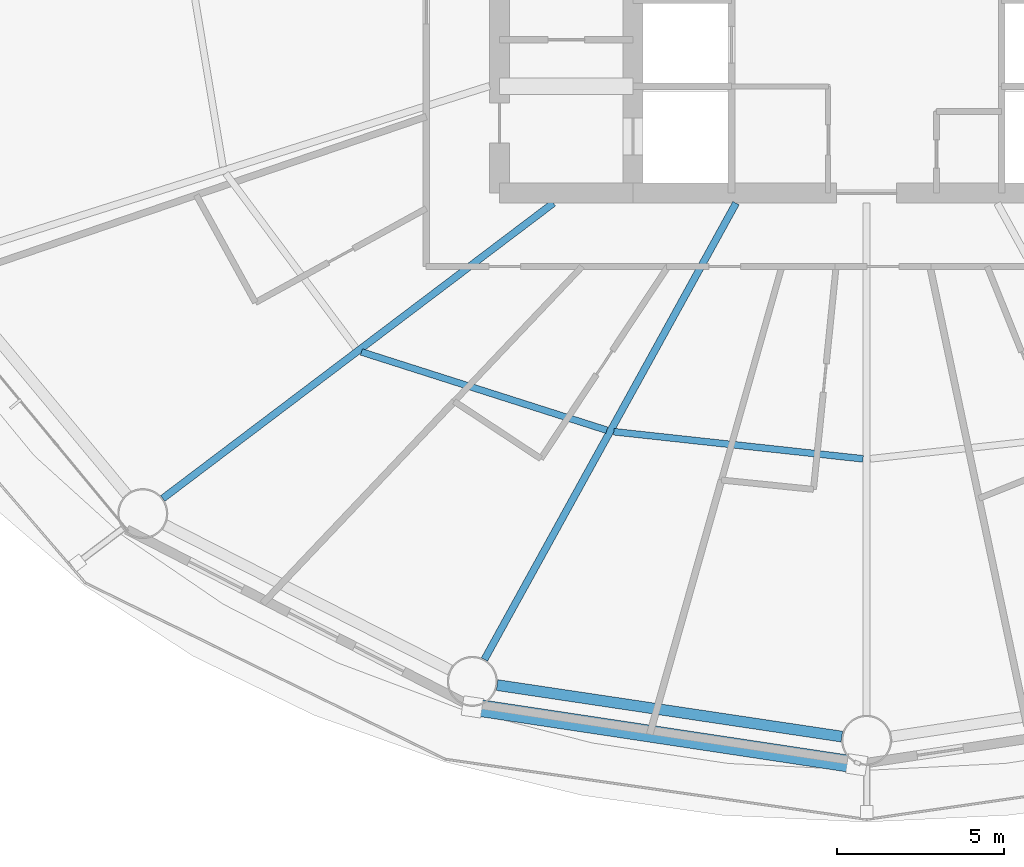
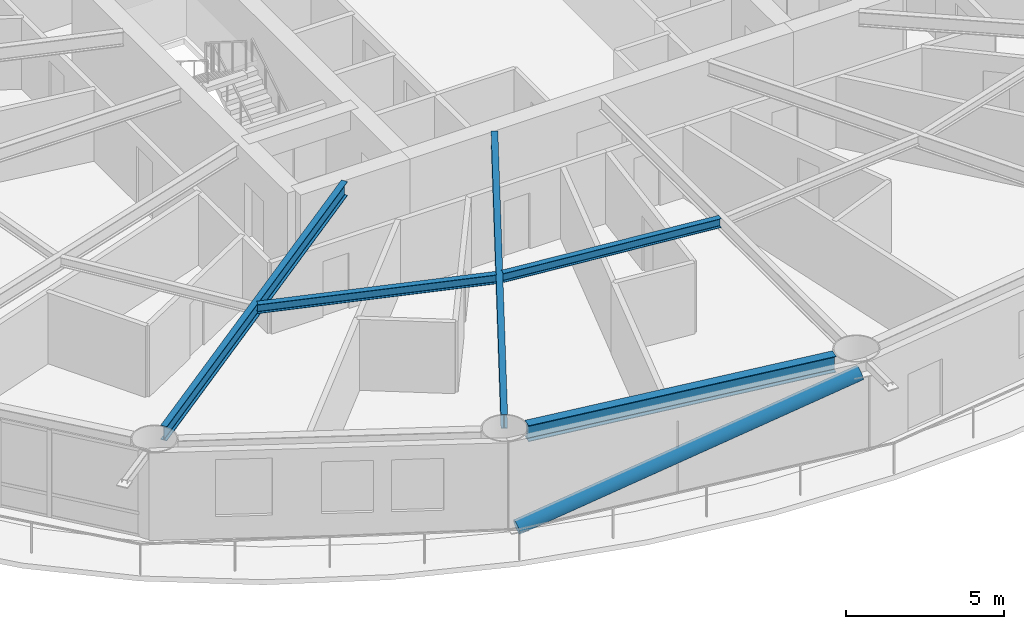
# One storey, part 3 of 28: 5 beams, 1 member.
"""IFC4 building model written with IfcOpenShell, lengths in metres."""

from ifc_helpers import new_model, si_unit, direction, frame, origin, origin_2d, place, context, subcontext, project, spatial, hollow_circle, i_section, extrude, material, material_profile, profile_set, type_object, element, save


model = new_model("IFC4")

# Units and contexts
model_context = context("Model", 3, precision=1e-05, world=origin(), true_north=direction((0.0, 1.0)))
body_context = subcontext(model_context, "Body", "Model", "MODEL_VIEW")
ifc_project = project(units=[si_unit("LENGTHUNIT", "METRE"), si_unit("AREAUNIT", "SQUARE_METRE"), si_unit("VOLUMEUNIT", "CUBIC_METRE"), si_unit("PLANEANGLEUNIT", "RADIAN"), si_unit("MASSUNIT", "GRAM", prefix="KILO")], contexts=[model_context])

# Site, building, storey
site_placement = place(None, origin())
site = spatial("IfcSite", under=ifc_project, at=site_placement, CompositionType="ELEMENT")
building_placement = place(site_placement, origin())
building = spatial("IfcBuilding", under=site, at=building_placement, Name="Sarneth Arch Tower", CompositionType="ELEMENT")
storey_placement = place(building_placement, frame((0.0, 0.0, 31.800048828125)))
storey = spatial("IfcBuildingStorey", under=building, at=storey_placement, Name="L06", CompositionType="ELEMENT", Elevation=31.800048828125)

# Beams
ifc_material_1 = material(Name="Steel S355", Category="steel")
ifc_material_profile_1 = material_profile(ifc_material_1, i_section(OverallWidth=0.202880859375, OverallDepth=0.346923828125, WebThickness=0.0078125, FlangeThickness=0.013427734375, FilletRadius=0.014892578125, at=origin_2d()), Name="W360x64")
ifc_profile_set_1 = profile_set([ifc_material_profile_1], Name="Steel S355")
beam_type_1 = type_object("IfcBeamType", Name="BM-JOIST-360C", PredefinedType="JOIST", material=ifc_profile_set_1)
beam_1_placement = place(storey_placement, frame((32.857666015625, 30.441162109375, 3.20654296875), z_axis=(0.95266836992, -0.304011475036, 0.0), x_axis=(0.304011475036, 0.95266836992, 0.0)))
element("IfcBeam", 1, at=beam_1_placement, inside=storey, type_object=beam_type_1, Name="L06 Secondary floor joist 11", PredefinedType="JOIST", context=body_context, shape_type="SweptSolid", body=[
    extrude(i_section(OverallWidth=0.202880859375, OverallDepth=0.346923828125, WebThickness=0.0078125, FlangeThickness=0.013427734375, FilletRadius=0.014892578125, at=origin_2d()), origin(), (0.0, 0.0, 1.0), 7.720703125),
])
beam_2_placement = place(storey_placement, frame((40.421142578125, 28.0498046875, 3.20654296875), z_axis=(0.994129966112, -0.108192469602, 0.0), x_axis=(0.108192469602, 0.994129966112, 0.0)))
element("IfcBeam", 2, at=beam_2_placement, inside=storey, type_object=beam_type_1, Name="L06 Secondary floor joist 12", PredefinedType="JOIST", context=body_context, shape_type="SweptSolid", body=[
    extrude(i_section(OverallWidth=0.202880859375, OverallDepth=0.346923828125, WebThickness=0.0078125, FlangeThickness=0.013427734375, FilletRadius=0.014892578125, at=origin_2d()), origin(), (0.0, 0.0, 1.0), 7.5166015625),
])
ifc_material_2 = material(Name="Steel S355", Category="steel")
ifc_material_profile_2 = material_profile(ifc_material_2, i_section(OverallWidth=0.214111328125, OverallDepth=0.549072265625, WebThickness=0.0146484375, FlangeThickness=0.023681640625, FilletRadius=0.01806640625, at=origin_2d()), Name="W530x138")
ifc_profile_set_2 = profile_set([ifc_material_profile_2], Name="Steel S355")
beam_type_2 = type_object("IfcBeamType", Name="BM-RAD-530A", PredefinedType="BEAM", material=ifc_profile_set_2)
beam_3_placement = place(storey_placement, frame((38.609619140625, 34.89990234375, 3.10546875), z_axis=(-0.79765464731, -0.603114469753, 0.0), x_axis=(0.603114469753, -0.79765464731, 0.0)))
element("IfcBeam", 3, at=beam_3_placement, inside=storey, type_object=beam_type_2, Name="L06 Radial floor girder 11", PredefinedType="BEAM", context=body_context, shape_type="SweptSolid", body=[
    extrude(i_section(OverallWidth=0.214111328125, OverallDepth=0.549072265625, WebThickness=0.0146484375, FlangeThickness=0.023681640625, FilletRadius=0.01806640625, at=origin_2d()), origin(), (0.0, 0.0, 1.0), 14.677978515625),
])
beam_4_placement = place(storey_placement, frame((44.08544921875, 34.89990234375, 3.10546875), z_axis=(-0.482841370957, -0.875707833979, 0.0), x_axis=(0.875707833979, -0.482841370957, 0.0)))
element("IfcBeam", 4, at=beam_4_placement, inside=storey, type_object=beam_type_2, Name="L06 Radial floor girder 12", PredefinedType="BEAM", context=body_context, shape_type="SweptSolid", body=[
    extrude(i_section(OverallWidth=0.214111328125, OverallDepth=0.549072265625, WebThickness=0.0146484375, FlangeThickness=0.023681640625, FilletRadius=0.01806640625, at=origin_2d()), origin(), (0.0, 0.0, 1.0), 15.618408203125),
])
ifc_material_3 = material(Name="Steel S355", Category="steel")
ifc_material_profile_3 = material_profile(ifc_material_3, i_section(OverallWidth=0.326904296875, OverallDepth=0.6220703125, WebThickness=0.015380859375, FlangeThickness=0.0244140625, FilletRadius=0.01904296875, at=origin_2d()), Name="W610x195")
ifc_profile_set_3 = profile_set([ifc_material_profile_3], Name="Steel S355")
beam_type_3 = type_object("IfcBeamType", Name="BM-SPAN-610A", PredefinedType="SPANDREL", material=ifc_profile_set_3)
beam_5_placement = place(storey_placement, frame((36.923828125, 20.455078125, 3.06884765625), z_axis=(0.989020169581, -0.147780594675, 0.0), x_axis=(0.147780594675, 0.989020169581, 0.0)))
element("IfcBeam", 5, at=beam_5_placement, inside=storey, type_object=beam_type_3, Name="L06 Perimeter spandrel beam 12", PredefinedType="SPANDREL", context=body_context, shape_type="SweptSolid", body=[
    extrude(i_section(OverallWidth=0.326904296875, OverallDepth=0.6220703125, WebThickness=0.015380859375, FlangeThickness=0.0244140625, FilletRadius=0.01904296875, at=origin_2d()), origin(), (0.0, 0.0, 1.0), 10.44921875),
])

# Member
ifc_material_4 = material(Name="Steel S355", Category="steel")
ifc_material_profile_4 = material_profile(ifc_material_4, hollow_circle(Radius=0.25390625, WallThickness=0.01611328125, at=origin_2d()), Name="CHS508x16")
ifc_profile_set_4 = profile_set([ifc_material_profile_4], Name="Steel S355")
member_type = type_object("IfcMemberType", Name="MEM-DIAG-BR1", PredefinedType="BRACE", material=ifc_profile_set_4)
member_placement = place(storey_placement, frame((36.180419921875, 19.80078125, 0.02001953125), z_axis=(0.957875899759, -0.144316613483, 0.248287083301), x_axis=(0.1489817545, 0.988839944999, 0.0)))
element("IfcMember", 6, at=member_placement, inside=storey, type_object=member_type, Name="L06 Perimeter frame diagonal 12", PredefinedType="BRACE", context=body_context, shape_type="SweptSolid", body=[
    extrude(hollow_circle(Radius=0.25390625, WallThickness=0.01611328125, at=origin_2d()), origin(), (0.0, 0.0, 1.0), 12.02978515625),
])

save(model, "model.ifc")
